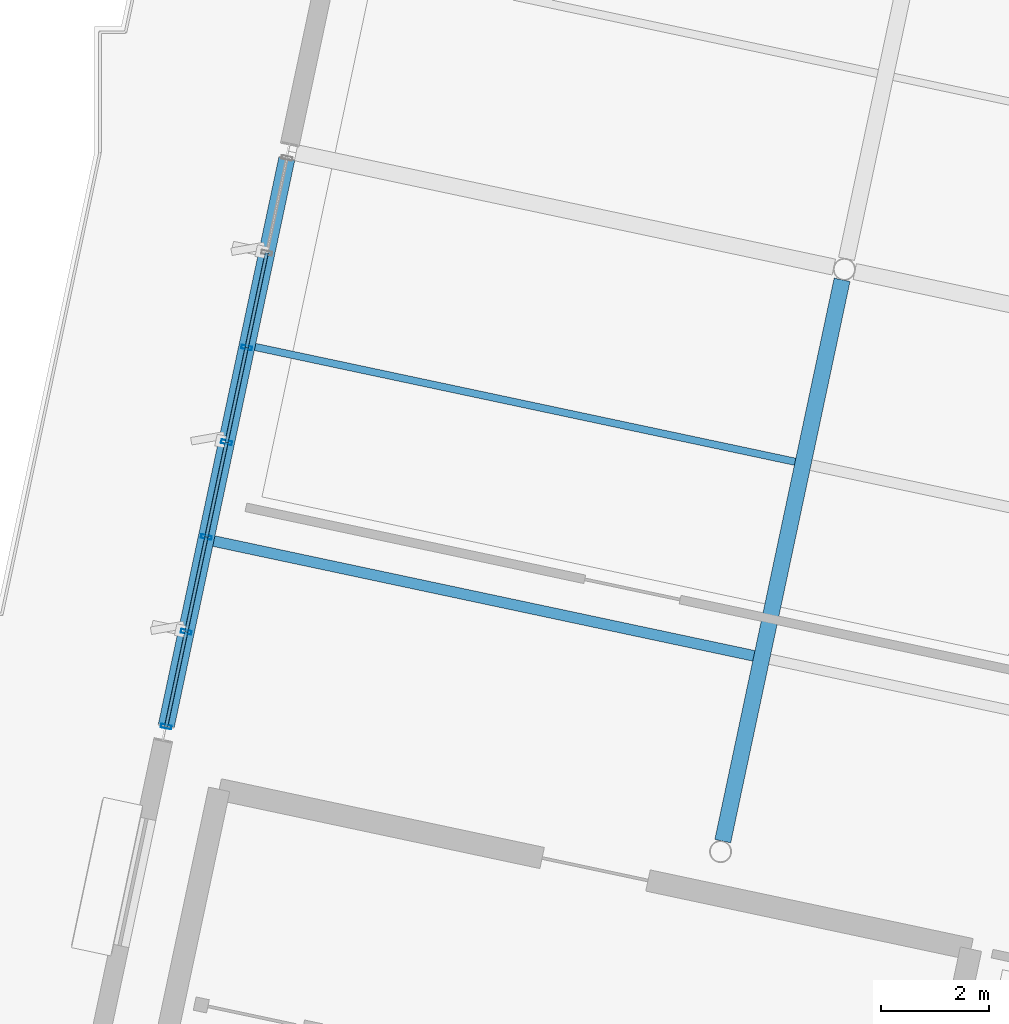
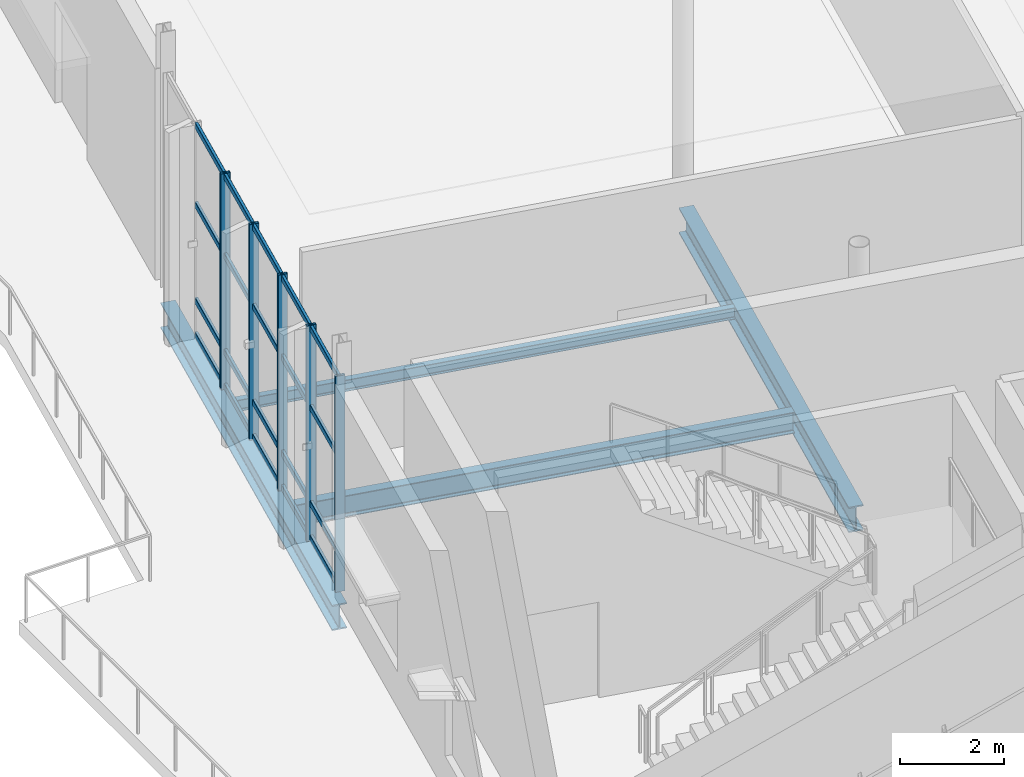
# One storey, part 41 of 163: 25 members, 4 beams, 1 element without a shape of its own.
"""IFC4 building model written with IfcOpenShell, lengths in metres."""

from ifc_helpers import new_model, si_unit, direction, frame, origin, origin_2d, place, context, subcontext, project, spatial, hollow_rectangle, i_section, extrude, material, layer, layer_set, material_profile, profile_set, type_object, element, aggregate, save


model = new_model("IFC4")

# Units and contexts
model_context = context("Model", 3, precision=1e-05, world=origin(), true_north=direction((0.0, 1.0)))
body_context = subcontext(model_context, "Body", "Model", "MODEL_VIEW")
ifc_project = project(units=[si_unit("LENGTHUNIT", "METRE"), si_unit("AREAUNIT", "SQUARE_METRE"), si_unit("VOLUMEUNIT", "CUBIC_METRE"), si_unit("PLANEANGLEUNIT", "RADIAN"), si_unit("MASSUNIT", "GRAM", prefix="KILO")], contexts=[model_context])

# Site, building, storey
site_placement = place(None, origin())
site = spatial("IfcSite", under=ifc_project, at=site_placement, CompositionType="ELEMENT")
building_placement = place(site_placement, origin())
building = spatial("IfcBuilding", under=site, at=building_placement, Name="Khorjan Park Terminus", CompositionType="ELEMENT")
storey_placement = place(building_placement, origin())
storey = spatial("IfcBuildingStorey", under=building, at=storey_placement, Name="L00", CompositionType="ELEMENT", Elevation=0.0)

# Beams
ifc_material_1 = material(Name="Steel S355", Category="steel")
ifc_material_profile_1 = material_profile(ifc_material_1, i_section(OverallWidth=0.3, OverallDepth=0.6, WebThickness=0.0155, FlangeThickness=0.03, FilletRadius=0.027, at=origin_2d()), Name="HEB 600")
ifc_profile_set_1 = profile_set([ifc_material_profile_1], Name="Steel S355")
beam_type_1 = type_object("IfcBeamType", Name="BM-HEB600", PredefinedType="BEAM", material=ifc_profile_set_1)
beam_1_placement = place(storey_placement, frame((-3.6828, 52.9015, -0.66), z_axis=(0.207909789374, 0.978148004896, 0.0), x_axis=(-0.978148004896, 0.207909789374, 0.0)))
element("IfcBeam", 1, at=beam_1_placement, inside=storey, type_object=beam_type_1, Name="Primary skew-grid floor girder SB-B60 (L00)", PredefinedType="BEAM", context=body_context, shape_type="SweptSolid", body=[
    extrude(i_section(OverallWidth=0.3, OverallDepth=0.6, WebThickness=0.0155, FlangeThickness=0.03, FilletRadius=0.027, at=origin_2d()), origin(), (0.0, 0.0, 1.0), 10.7099),
])
beam_2_placement = place(storey_placement, frame((6.5988, 50.7704, -0.66), z_axis=(0.207910301084, 0.97814789613, 0.0), x_axis=(-0.97814789613, 0.207910301084, 0.0)))
element("IfcBeam", 2, at=beam_2_placement, inside=storey, type_object=beam_type_1, Name="Primary skew-grid floor girder SB-B60 (L00)", PredefinedType="BEAM", context=body_context, shape_type="SweptSolid", body=[
    extrude(i_section(OverallWidth=0.3, OverallDepth=0.6, WebThickness=0.0155, FlangeThickness=0.03, FilletRadius=0.027, at=origin_2d()), origin(), (0.0, 0.0, 1.0), 10.6036),
])
ifc_material_profile_2 = material_profile(ifc_material_1, i_section(OverallWidth=0.135, OverallDepth=0.27, WebThickness=0.0066, FlangeThickness=0.0102, FilletRadius=0.015, at=origin_2d()), Name="IPE 270")
ifc_profile_set_2 = profile_set([ifc_material_profile_2], Name="Steel S355")
beam_type_2 = type_object("IfcBeamType", Name="JS-IPE270", PredefinedType="JOIST", material=ifc_profile_set_2)
beam_3_placement = place(storey_placement, frame((-2.0416, 59.9015, -0.495), z_axis=(0.978147562282, -0.207911871719, 0.0), x_axis=(0.207911871719, 0.978147562282, 0.0)))
element("IfcBeam", 3, at=beam_3_placement, inside=storey, type_object=beam_type_2, Name="Secondary composite floor joist SJ-27 (L00)", PredefinedType="JOIST", context=body_context, shape_type="SweptSolid", body=[
    extrude(i_section(OverallWidth=0.135, OverallDepth=0.27, WebThickness=0.0066, FlangeThickness=0.0102, FilletRadius=0.015, at=origin_2d()), origin(), (0.0, 0.0, 1.0), 10.2),
])
ifc_material_profile_3 = material_profile(ifc_material_1, i_section(OverallWidth=0.2, OverallDepth=0.5, WebThickness=0.0102, FlangeThickness=0.016, FilletRadius=0.021, at=origin_2d()), Name="IPE 500")
ifc_profile_set_3 = profile_set([ifc_material_profile_3], Name="Steel S355")
beam_type_3 = type_object("IfcBeamType", Name="JS-IPE500", PredefinedType="JOIST", material=ifc_profile_set_3)
beam_4_placement = place(storey_placement, frame((-2.8039, 56.315, -0.61), z_axis=(0.978147562282, -0.207911871719, 0.0), x_axis=(0.207911871719, 0.978147562282, 0.0)))
element("IfcBeam", 4, at=beam_4_placement, inside=storey, type_object=beam_type_3, Name="Secondary composite floor joist SJ-50 (L00)", PredefinedType="JOIST", context=body_context, shape_type="SweptSolid", body=[
    extrude(i_section(OverallWidth=0.2, OverallDepth=0.5, WebThickness=0.0102, FlangeThickness=0.016, FilletRadius=0.021, at=origin_2d()), origin(), (0.0, 0.0, 1.0), 10.2),
])

# Curtain wall, members
ifc_material_2 = material(Name="Anodized Bronze Aluminium", Category="aluminium")
ifc_layer = layer(ifc_material_2, 0.22)
ifc_layer_set = layer_set([ifc_layer], Name="Anodized Bronze Aluminium")
curtain_wall_type = type_object("IfcCurtainWallType", Name="CW-PAV-C", PredefinedType="NOTDEFINED", material=ifc_layer_set)
curtain_wall_placement = place(storey_placement, origin())
curtain_wall = element("IfcCurtainWall", 5, at=curtain_wall_placement, inside=storey, type_object=curtain_wall_type, Name="Unitized curtain wall CW-C (CW-V4-W-L00-B03)", PredefinedType="NOTDEFINED")
ifc_material_profile_4 = material_profile(ifc_material_2, hollow_rectangle(XDim=0.07, YDim=0.2, WallThickness=0.005, InnerFilletRadius=0.005, OuterFilletRadius=0.01, at=origin_2d()), Name="ALM 70x200x5")
ifc_profile_set_4 = profile_set([ifc_material_profile_4], Name="Anodized Bronze Aluminium")
member_type_1 = type_object("IfcMemberType", Name="ML-ALM-200", PredefinedType="MULLION", material=ifc_profile_set_4)
member_1_placement = place(storey_placement, frame((-2.1973, 59.8902, -0.035), z_axis=(0.0, 0.0, 1.0), x_axis=(-0.207916776669, -0.978146519689, 0.0)))
member_1 = element("IfcMember", 6, at=member_1_placement, type_object=member_type_1, Name="Curtain-wall mullion ML-20 (CW-V4-W-L00-B03-2)", PredefinedType="MULLION", context=body_context, shape_type="SweptSolid", body=[
    extrude(hollow_rectangle(XDim=0.07, YDim=0.2, WallThickness=0.005, InnerFilletRadius=0.005, OuterFilletRadius=0.01, at=origin_2d()), origin(), (0.0, 0.0, 1.0), 5.085),
])
member_2_placement = place(storey_placement, frame((-2.5694, 58.1394, -0.035), z_axis=(0.0, 0.0, 1.0), x_axis=(-0.207916776669, -0.978146519689, 0.0)))
member_2 = element("IfcMember", 7, at=member_2_placement, type_object=member_type_1, Name="Curtain-wall mullion ML-20 (CW-V4-W-L00-B03-3)", PredefinedType="MULLION", context=body_context, shape_type="SweptSolid", body=[
    extrude(hollow_rectangle(XDim=0.07, YDim=0.2, WallThickness=0.005, InnerFilletRadius=0.005, OuterFilletRadius=0.01, at=origin_2d()), origin(), (0.0, 0.0, 1.0), 5.085),
])
member_3_placement = place(storey_placement, frame((-2.9416, 56.3887, -0.035), z_axis=(0.0, 0.0, 1.0), x_axis=(-0.207916776669, -0.978146519689, 0.0)))
member_3 = element("IfcMember", 8, at=member_3_placement, type_object=member_type_1, Name="Curtain-wall mullion ML-20 (CW-V4-W-L00-B03-4)", PredefinedType="MULLION", context=body_context, shape_type="SweptSolid", body=[
    extrude(hollow_rectangle(XDim=0.07, YDim=0.2, WallThickness=0.005, InnerFilletRadius=0.005, OuterFilletRadius=0.01, at=origin_2d()), origin(), (0.0, 0.0, 1.0), 5.085),
])
member_4_placement = place(storey_placement, frame((-3.3138, 54.6379, -0.035), z_axis=(0.0, 0.0, 1.0), x_axis=(-0.207916776669, -0.978146519689, 0.0)))
member_4 = element("IfcMember", 9, at=member_4_placement, type_object=member_type_1, Name="Curtain-wall mullion ML-20 (CW-V4-W-L00-B03-5)", PredefinedType="MULLION", context=body_context, shape_type="SweptSolid", body=[
    extrude(hollow_rectangle(XDim=0.07, YDim=0.2, WallThickness=0.005, InnerFilletRadius=0.005, OuterFilletRadius=0.01, at=origin_2d()), origin(), (0.0, 0.0, 1.0), 5.085),
])
member_5_placement = place(storey_placement, frame((-3.6859, 52.8871, -0.035), z_axis=(0.0, 0.0, 1.0), x_axis=(-0.207916776669, -0.978146519689, 0.0)))
member_5 = element("IfcMember", 10, at=member_5_placement, type_object=member_type_1, Name="Curtain-wall mullion ML-20 (CW-V4-W-L00-B03-6)", PredefinedType="MULLION", context=body_context, shape_type="SweptSolid", body=[
    extrude(hollow_rectangle(XDim=0.07, YDim=0.2, WallThickness=0.005, InnerFilletRadius=0.005, OuterFilletRadius=0.01, at=origin_2d()), origin(), (0.0, 0.0, 1.0), 5.085),
])
ifc_material_profile_5 = material_profile(ifc_material_2, hollow_rectangle(XDim=0.065, YDim=0.14, WallThickness=0.004, InnerFilletRadius=0.004, OuterFilletRadius=0.008, at=origin_2d()), Name="ALT 65x140x4")
ifc_profile_set_5 = profile_set([ifc_material_profile_5], Name="Anodized Bronze Aluminium")
member_type_2 = type_object("IfcMemberType", Name="TR-ALT-140", PredefinedType="USERDEFINED", material=ifc_profile_set_5)
member_6_placement = place(storey_placement, frame((-1.8252, 61.641, 0.04), z_axis=(-0.207888156011, -0.978152602915, 0.0), x_axis=(0.978152602915, -0.207888156011, 0.0)))
member_6 = element("IfcMember", 11, at=member_6_placement, type_object=member_type_2, Name="Curtain-wall transom TR-14 (CW-V4-W-L00-B03-1-1)", ObjectType="TRANSOM", PredefinedType="USERDEFINED", context=body_context, shape_type="SweptSolid", body=[
    extrude(hollow_rectangle(XDim=0.065, YDim=0.14, WallThickness=0.004, InnerFilletRadius=0.004, OuterFilletRadius=0.008, at=origin_2d()), origin(), (0.0, 0.0, 1.0), 1.7899),
])
member_7_placement = place(storey_placement, frame((-1.8252, 61.641, 0.85), z_axis=(-0.207888156011, -0.978152602915, 0.0), x_axis=(0.978152602915, -0.207888156011, 0.0)))
member_7 = element("IfcMember", 12, at=member_7_placement, type_object=member_type_2, Name="Curtain-wall transom TR-14 (CW-V4-W-L00-B03-1-2)", ObjectType="TRANSOM", PredefinedType="USERDEFINED", context=body_context, shape_type="SweptSolid", body=[
    extrude(hollow_rectangle(XDim=0.065, YDim=0.14, WallThickness=0.004, InnerFilletRadius=0.004, OuterFilletRadius=0.008, at=origin_2d()), origin(), (0.0, 0.0, 1.0), 1.7899),
])
member_8_placement = place(storey_placement, frame((-1.8252, 61.641, 3.1093), z_axis=(-0.207888156011, -0.978152602915, 0.0), x_axis=(0.978152602915, -0.207888156011, 0.0)))
member_8 = element("IfcMember", 13, at=member_8_placement, type_object=member_type_2, Name="Curtain-wall transom TR-14 (CW-V4-W-L00-B03-1-3)", ObjectType="TRANSOM", PredefinedType="USERDEFINED", context=body_context, shape_type="SweptSolid", body=[
    extrude(hollow_rectangle(XDim=0.065, YDim=0.14, WallThickness=0.004, InnerFilletRadius=0.004, OuterFilletRadius=0.008, at=origin_2d()), origin(), (0.0, 0.0, 1.0), 1.7899),
])
member_9_placement = place(storey_placement, frame((-1.8252, 61.641, 4.975), z_axis=(-0.207888156011, -0.978152602915, 0.0), x_axis=(0.978152602915, -0.207888156011, 0.0)))
member_9 = element("IfcMember", 14, at=member_9_placement, type_object=member_type_2, Name="Curtain-wall transom TR-14 (CW-V4-W-L00-B03-1-4)", ObjectType="TRANSOM", PredefinedType="USERDEFINED", context=body_context, shape_type="SweptSolid", body=[
    extrude(hollow_rectangle(XDim=0.065, YDim=0.14, WallThickness=0.004, InnerFilletRadius=0.004, OuterFilletRadius=0.008, at=origin_2d()), origin(), (0.0, 0.0, 1.0), 1.7899),
])
member_10_placement = place(storey_placement, frame((-2.1973, 59.8902, 0.04), z_axis=(-0.207888156011, -0.978152602915, 0.0), x_axis=(0.978152602915, -0.207888156011, 0.0)))
member_10 = element("IfcMember", 15, at=member_10_placement, type_object=member_type_2, Name="Curtain-wall transom TR-14 (CW-V4-W-L00-B03-2-1)", ObjectType="TRANSOM", PredefinedType="USERDEFINED", context=body_context, shape_type="SweptSolid", body=[
    extrude(hollow_rectangle(XDim=0.065, YDim=0.14, WallThickness=0.004, InnerFilletRadius=0.004, OuterFilletRadius=0.008, at=origin_2d()), origin(), (0.0, 0.0, 1.0), 1.7899),
])
member_11_placement = place(storey_placement, frame((-2.1973, 59.8902, 0.85), z_axis=(-0.207888156011, -0.978152602915, 0.0), x_axis=(0.978152602915, -0.207888156011, 0.0)))
member_11 = element("IfcMember", 16, at=member_11_placement, type_object=member_type_2, Name="Curtain-wall transom TR-14 (CW-V4-W-L00-B03-2-2)", ObjectType="TRANSOM", PredefinedType="USERDEFINED", context=body_context, shape_type="SweptSolid", body=[
    extrude(hollow_rectangle(XDim=0.065, YDim=0.14, WallThickness=0.004, InnerFilletRadius=0.004, OuterFilletRadius=0.008, at=origin_2d()), origin(), (0.0, 0.0, 1.0), 1.7899),
])
member_12_placement = place(storey_placement, frame((-2.1973, 59.8902, 3.1093), z_axis=(-0.207888156011, -0.978152602915, 0.0), x_axis=(0.978152602915, -0.207888156011, 0.0)))
member_12 = element("IfcMember", 17, at=member_12_placement, type_object=member_type_2, Name="Curtain-wall transom TR-14 (CW-V4-W-L00-B03-2-3)", ObjectType="TRANSOM", PredefinedType="USERDEFINED", context=body_context, shape_type="SweptSolid", body=[
    extrude(hollow_rectangle(XDim=0.065, YDim=0.14, WallThickness=0.004, InnerFilletRadius=0.004, OuterFilletRadius=0.008, at=origin_2d()), origin(), (0.0, 0.0, 1.0), 1.7899),
])
member_13_placement = place(storey_placement, frame((-2.1973, 59.8902, 4.975), z_axis=(-0.207888156011, -0.978152602915, 0.0), x_axis=(0.978152602915, -0.207888156011, 0.0)))
member_13 = element("IfcMember", 18, at=member_13_placement, type_object=member_type_2, Name="Curtain-wall transom TR-14 (CW-V4-W-L00-B03-2-4)", ObjectType="TRANSOM", PredefinedType="USERDEFINED", context=body_context, shape_type="SweptSolid", body=[
    extrude(hollow_rectangle(XDim=0.065, YDim=0.14, WallThickness=0.004, InnerFilletRadius=0.004, OuterFilletRadius=0.008, at=origin_2d()), origin(), (0.0, 0.0, 1.0), 1.7899),
])
member_14_placement = place(storey_placement, frame((-2.5694, 58.1394, 0.04), z_axis=(-0.207952973461, -0.978138824927, 0.0), x_axis=(0.978138824927, -0.207952973461, 0.0)))
member_14 = element("IfcMember", 19, at=member_14_placement, type_object=member_type_2, Name="Curtain-wall transom TR-14 (CW-V4-W-L00-B03-3-1)", ObjectType="TRANSOM", PredefinedType="USERDEFINED", context=body_context, shape_type="SweptSolid", body=[
    extrude(hollow_rectangle(XDim=0.065, YDim=0.14, WallThickness=0.004, InnerFilletRadius=0.004, OuterFilletRadius=0.008, at=origin_2d()), origin(), (0.0, 0.0, 1.0), 1.7898),
])
member_15_placement = place(storey_placement, frame((-2.5694, 58.1394, 0.85), z_axis=(-0.207952973461, -0.978138824927, 0.0), x_axis=(0.978138824927, -0.207952973461, 0.0)))
member_15 = element("IfcMember", 20, at=member_15_placement, type_object=member_type_2, Name="Curtain-wall transom TR-14 (CW-V4-W-L00-B03-3-2)", ObjectType="TRANSOM", PredefinedType="USERDEFINED", context=body_context, shape_type="SweptSolid", body=[
    extrude(hollow_rectangle(XDim=0.065, YDim=0.14, WallThickness=0.004, InnerFilletRadius=0.004, OuterFilletRadius=0.008, at=origin_2d()), origin(), (0.0, 0.0, 1.0), 1.7898),
])
member_16_placement = place(storey_placement, frame((-2.5694, 58.1394, 3.1093), z_axis=(-0.207952973461, -0.978138824927, 0.0), x_axis=(0.978138824927, -0.207952973461, 0.0)))
member_16 = element("IfcMember", 21, at=member_16_placement, type_object=member_type_2, Name="Curtain-wall transom TR-14 (CW-V4-W-L00-B03-3-3)", ObjectType="TRANSOM", PredefinedType="USERDEFINED", context=body_context, shape_type="SweptSolid", body=[
    extrude(hollow_rectangle(XDim=0.065, YDim=0.14, WallThickness=0.004, InnerFilletRadius=0.004, OuterFilletRadius=0.008, at=origin_2d()), origin(), (0.0, 0.0, 1.0), 1.7898),
])
member_17_placement = place(storey_placement, frame((-2.5694, 58.1394, 4.975), z_axis=(-0.207952973461, -0.978138824927, 0.0), x_axis=(0.978138824927, -0.207952973461, 0.0)))
member_17 = element("IfcMember", 22, at=member_17_placement, type_object=member_type_2, Name="Curtain-wall transom TR-14 (CW-V4-W-L00-B03-3-4)", ObjectType="TRANSOM", PredefinedType="USERDEFINED", context=body_context, shape_type="SweptSolid", body=[
    extrude(hollow_rectangle(XDim=0.065, YDim=0.14, WallThickness=0.004, InnerFilletRadius=0.004, OuterFilletRadius=0.008, at=origin_2d()), origin(), (0.0, 0.0, 1.0), 1.7898),
])
member_18_placement = place(storey_placement, frame((-2.9416, 56.3887, 0.04), z_axis=(-0.207941609461, -0.978141240852, 0.0), x_axis=(0.978141240852, -0.207941609461, 0.0)))
member_18 = element("IfcMember", 23, at=member_18_placement, type_object=member_type_2, Name="Curtain-wall transom TR-14 (CW-V4-W-L00-B03-4-1)", ObjectType="TRANSOM", PredefinedType="USERDEFINED", context=body_context, shape_type="SweptSolid", body=[
    extrude(hollow_rectangle(XDim=0.065, YDim=0.14, WallThickness=0.004, InnerFilletRadius=0.004, OuterFilletRadius=0.008, at=origin_2d()), origin(), (0.0, 0.0, 1.0), 1.7899),
])
member_19_placement = place(storey_placement, frame((-2.9416, 56.3887, 0.85), z_axis=(-0.207941609461, -0.978141240852, 0.0), x_axis=(0.978141240852, -0.207941609461, 0.0)))
member_19 = element("IfcMember", 24, at=member_19_placement, type_object=member_type_2, Name="Curtain-wall transom TR-14 (CW-V4-W-L00-B03-4-2)", ObjectType="TRANSOM", PredefinedType="USERDEFINED", context=body_context, shape_type="SweptSolid", body=[
    extrude(hollow_rectangle(XDim=0.065, YDim=0.14, WallThickness=0.004, InnerFilletRadius=0.004, OuterFilletRadius=0.008, at=origin_2d()), origin(), (0.0, 0.0, 1.0), 1.7899),
])
member_20_placement = place(storey_placement, frame((-2.9416, 56.3887, 3.1093), z_axis=(-0.207941609461, -0.978141240852, 0.0), x_axis=(0.978141240852, -0.207941609461, 0.0)))
member_20 = element("IfcMember", 25, at=member_20_placement, type_object=member_type_2, Name="Curtain-wall transom TR-14 (CW-V4-W-L00-B03-4-3)", ObjectType="TRANSOM", PredefinedType="USERDEFINED", context=body_context, shape_type="SweptSolid", body=[
    extrude(hollow_rectangle(XDim=0.065, YDim=0.14, WallThickness=0.004, InnerFilletRadius=0.004, OuterFilletRadius=0.008, at=origin_2d()), origin(), (0.0, 0.0, 1.0), 1.7899),
])
member_21_placement = place(storey_placement, frame((-2.9416, 56.3887, 4.975), z_axis=(-0.207941609461, -0.978141240852, 0.0), x_axis=(0.978141240852, -0.207941609461, 0.0)))
member_21 = element("IfcMember", 26, at=member_21_placement, type_object=member_type_2, Name="Curtain-wall transom TR-14 (CW-V4-W-L00-B03-4-4)", ObjectType="TRANSOM", PredefinedType="USERDEFINED", context=body_context, shape_type="SweptSolid", body=[
    extrude(hollow_rectangle(XDim=0.065, YDim=0.14, WallThickness=0.004, InnerFilletRadius=0.004, OuterFilletRadius=0.008, at=origin_2d()), origin(), (0.0, 0.0, 1.0), 1.7899),
])
member_22_placement = place(storey_placement, frame((-3.3138, 54.6379, 0.04), z_axis=(-0.207888156011, -0.978152602915, 0.0), x_axis=(0.978152602915, -0.207888156011, 0.0)))
member_22 = element("IfcMember", 27, at=member_22_placement, type_object=member_type_2, Name="Curtain-wall transom TR-14 (CW-V4-W-L00-B03-5-1)", ObjectType="TRANSOM", PredefinedType="USERDEFINED", context=body_context, shape_type="SweptSolid", body=[
    extrude(hollow_rectangle(XDim=0.065, YDim=0.14, WallThickness=0.004, InnerFilletRadius=0.004, OuterFilletRadius=0.008, at=origin_2d()), origin(), (0.0, 0.0, 1.0), 1.7899),
])
member_23_placement = place(storey_placement, frame((-3.3138, 54.6379, 0.85), z_axis=(-0.207888156011, -0.978152602915, 0.0), x_axis=(0.978152602915, -0.207888156011, 0.0)))
member_23 = element("IfcMember", 28, at=member_23_placement, type_object=member_type_2, Name="Curtain-wall transom TR-14 (CW-V4-W-L00-B03-5-2)", ObjectType="TRANSOM", PredefinedType="USERDEFINED", context=body_context, shape_type="SweptSolid", body=[
    extrude(hollow_rectangle(XDim=0.065, YDim=0.14, WallThickness=0.004, InnerFilletRadius=0.004, OuterFilletRadius=0.008, at=origin_2d()), origin(), (0.0, 0.0, 1.0), 1.7899),
])
member_24_placement = place(storey_placement, frame((-3.3138, 54.6379, 3.1093), z_axis=(-0.207888156011, -0.978152602915, 0.0), x_axis=(0.978152602915, -0.207888156011, 0.0)))
member_24 = element("IfcMember", 29, at=member_24_placement, type_object=member_type_2, Name="Curtain-wall transom TR-14 (CW-V4-W-L00-B03-5-3)", ObjectType="TRANSOM", PredefinedType="USERDEFINED", context=body_context, shape_type="SweptSolid", body=[
    extrude(hollow_rectangle(XDim=0.065, YDim=0.14, WallThickness=0.004, InnerFilletRadius=0.004, OuterFilletRadius=0.008, at=origin_2d()), origin(), (0.0, 0.0, 1.0), 1.7899),
])
member_25_placement = place(storey_placement, frame((-3.3138, 54.6379, 4.975), z_axis=(-0.207888156011, -0.978152602915, 0.0), x_axis=(0.978152602915, -0.207888156011, 0.0)))
member_25 = element("IfcMember", 30, at=member_25_placement, type_object=member_type_2, Name="Curtain-wall transom TR-14 (CW-V4-W-L00-B03-5-4)", ObjectType="TRANSOM", PredefinedType="USERDEFINED", context=body_context, shape_type="SweptSolid", body=[
    extrude(hollow_rectangle(XDim=0.065, YDim=0.14, WallThickness=0.004, InnerFilletRadius=0.004, OuterFilletRadius=0.008, at=origin_2d()), origin(), (0.0, 0.0, 1.0), 1.7899),
])
aggregate(curtain_wall, [member_1, member_2, member_3, member_4, member_5, member_6, member_7, member_8, member_9, member_10, member_11, member_12, member_13, member_14, member_15, member_16, member_17, member_18, member_19, member_20, member_21, member_22, member_23, member_24, member_25])

save(model, "model.ifc")
